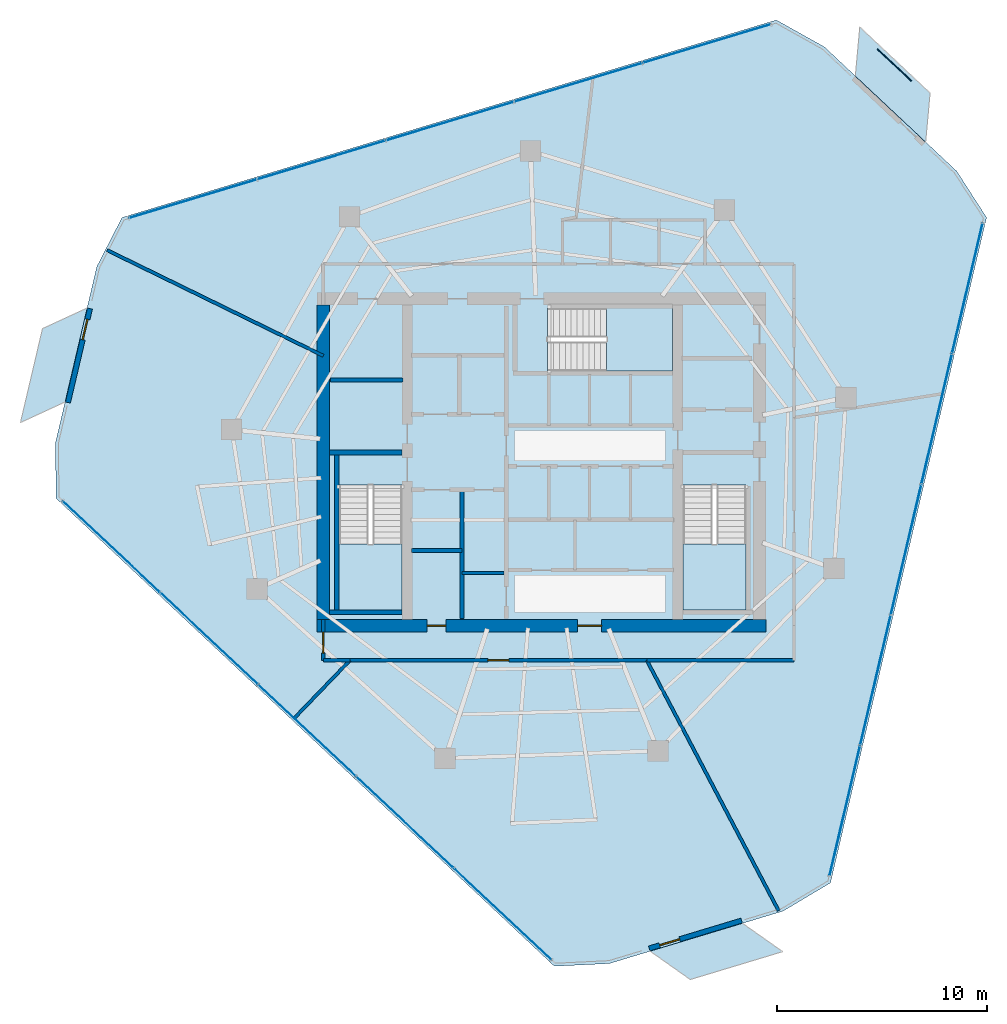
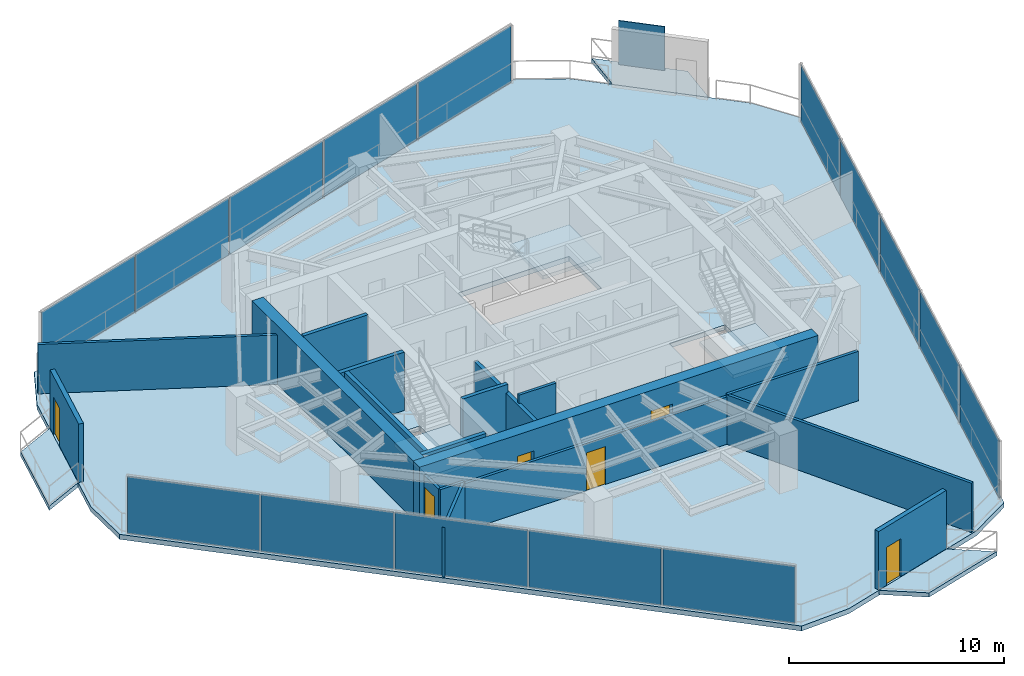
# One storey, part 15 of 19: 18 walls, 16 plates, 7 slabs, 6 doors, 6 openings, 6 elements without a shape of their own.
"""IFC4 building model written with IfcOpenShell, lengths in metres."""

from ifc_helpers import new_model, si_unit, direction, frame, frame_2d, origin, origin_2d, place, context, subcontext, project, spatial, polyline, rectangle, outline, extrude, material, layer, layer_set, type_object, element, fill, aggregate, save


model = new_model("IFC4")

# Units and contexts
model_context = context("Model", 3, precision=1e-05, world=origin(), true_north=direction((0.0, 1.0)))
body_context = subcontext(model_context, "Body", "Model", "MODEL_VIEW")
ifc_project = project(units=[si_unit("LENGTHUNIT", "METRE"), si_unit("AREAUNIT", "SQUARE_METRE"), si_unit("VOLUMEUNIT", "CUBIC_METRE"), si_unit("PLANEANGLEUNIT", "RADIAN"), si_unit("MASSUNIT", "GRAM", prefix="KILO")], contexts=[model_context])

# Site, building, storey
site_placement = place(None, origin())
site = spatial("IfcSite", under=ifc_project, at=site_placement, CompositionType="ELEMENT")
building_placement = place(site_placement, origin())
building = spatial("IfcBuilding", under=site, at=building_placement, Name="Qarnah Convention Tower", CompositionType="ELEMENT")
storey_placement = place(building_placement, frame((0.0, 0.0, 129.300048828125)))
storey = spatial("IfcBuildingStorey", under=building, at=storey_placement, Name="L34", CompositionType="ELEMENT", Elevation=129.300048828125)

# Curtain wall, plates
ifc_material_1 = material(Name="Tempered Low-E dark glass", Category="glass")
ifc_layer_1 = layer(ifc_material_1, 0.172119140625)
ifc_layer_set_1 = layer_set([ifc_layer_1], Name="Tempered Low-E dark glass")
curtain_wall_type = type_object("IfcCurtainWallType", Name="CWS-03", PredefinedType="NOTDEFINED", material=ifc_layer_set_1)
curtain_wall_1_placement = place(storey_placement, origin())
curtain_wall_1 = element("IfcCurtainWall", 1, at=curtain_wall_1_placement, inside=storey, type_object=curtain_wall_type, Name="L34 unitised curtain wall CW-L34-F1", PredefinedType="NOTDEFINED")
ifc_layer_2 = layer(ifc_material_1, 0.031982421875)
ifc_layer_set_2 = layer_set([ifc_layer_2], Name="Tempered Low-E dark glass")
plate_type_1 = type_object("IfcPlateType", Name="PNL-T3", PredefinedType="CURTAIN_PANEL", material=ifc_layer_set_2)
plate_1_placement = place(storey_placement, frame((35.347900390625, 4.843994140625, 0.0400390625), z_axis=(0.0, 0.0, 1.0), x_axis=(-0.728967659665, 0.684548136483, 0.0)))
plate_1 = element("IfcPlate", 2, at=plate_1_placement, type_object=plate_type_1, Name="CW-L34-F1 curtain panel 1.1", PredefinedType="CURTAIN_PANEL", context=body_context, shape_type="SweptSolid", body=[
    extrude(rectangle(XDim=6.318115234375, YDim=0.031982421875, at=origin_2d()), origin(), (0.0, 0.0, 1.0), 3.239990234375),
])
plate_2_placement = place(storey_placement, frame((30.68408203125, 9.2236328125, 0.0400390625), z_axis=(0.0, 0.0, 1.0), x_axis=(-0.728967659665, 0.684548136483, 0.0)))
plate_2 = element("IfcPlate", 3, at=plate_2_placement, type_object=plate_type_1, Name="CW-L34-F1 curtain panel 2.1", PredefinedType="CURTAIN_PANEL", context=body_context, shape_type="SweptSolid", body=[
    extrude(rectangle(XDim=6.318115234375, YDim=0.031982421875, at=origin_2d()), origin(), (0.0, 0.0, 1.0), 3.239990234375),
])
plate_3_placement = place(storey_placement, frame((26.02001953125, 13.603515625, 0.0400390625), z_axis=(0.0, 0.0, 1.0), x_axis=(-0.728967659665, 0.684548136483, 0.0)))
plate_3 = element("IfcPlate", 4, at=plate_3_placement, type_object=plate_type_1, Name="CW-L34-F1 curtain panel 3.1", PredefinedType="CURTAIN_PANEL", context=body_context, shape_type="SweptSolid", body=[
    extrude(rectangle(XDim=6.318115234375, YDim=0.031982421875, at=origin_2d()), origin(), (0.0, 0.0, 1.0), 3.239990234375),
])
plate_4_placement = place(storey_placement, frame((21.35595703125, 17.9833984375, 0.0400390625), z_axis=(0.0, 0.0, 1.0), x_axis=(-0.728967659665, 0.684548136483, 0.0)))
plate_4 = element("IfcPlate", 5, at=plate_4_placement, type_object=plate_type_1, Name="CW-L34-F1 curtain panel 4.1", PredefinedType="CURTAIN_PANEL", context=body_context, shape_type="SweptSolid", body=[
    extrude(rectangle(XDim=6.318115234375, YDim=0.031982421875, at=origin_2d()), origin(), (0.0, 0.0, 1.0), 3.239990234375),
])
plate_5_placement = place(storey_placement, frame((16.69189453125, 22.363037109375, 0.0400390625), z_axis=(0.0, 0.0, 1.0), x_axis=(-0.728967659665, 0.684548136483, 0.0)))
plate_5 = element("IfcPlate", 6, at=plate_5_placement, type_object=plate_type_1, Name="CW-L34-F1 curtain panel 5.1", PredefinedType="CURTAIN_PANEL", context=body_context, shape_type="SweptSolid", body=[
    extrude(rectangle(XDim=6.318115234375, YDim=0.031982421875, at=origin_2d()), origin(), (0.0, 0.0, 1.0), 3.239990234375),
])
aggregate(curtain_wall_1, [plate_1, plate_2, plate_3, plate_4, plate_5])

curtain_wall_2_placement = place(storey_placement, origin())
curtain_wall_2 = element("IfcCurtainWall", 7, at=curtain_wall_2_placement, inside=storey, type_object=curtain_wall_type, Name="L34 unitised curtain wall CW-L34-F2", PredefinedType="NOTDEFINED")
plate_6_placement = place(storey_placement, frame((20.58447265625, 38.960693359375, 0.0400390625), z_axis=(0.0, 0.0, 1.0), x_axis=(0.957321510287, 0.289025130295, 0.0)))
plate_6 = element("IfcPlate", 8, at=plate_6_placement, type_object=plate_type_1, Name="CW-L34-F2 curtain panel 1.1", PredefinedType="CURTAIN_PANEL", context=body_context, shape_type="SweptSolid", body=[
    extrude(rectangle(XDim=6.318115234375, YDim=0.031982421875, at=origin_2d()), origin(), (0.0, 0.0, 1.0), 3.239990234375),
])
plate_7_placement = place(storey_placement, frame((26.70947265625, 40.809814453125, 0.0400390625), z_axis=(0.0, 0.0, 1.0), x_axis=(0.957321510287, 0.289025130295, 0.0)))
plate_7 = element("IfcPlate", 9, at=plate_7_placement, type_object=plate_type_1, Name="CW-L34-F2 curtain panel 2.1", PredefinedType="CURTAIN_PANEL", context=body_context, shape_type="SweptSolid", body=[
    extrude(rectangle(XDim=6.318115234375, YDim=0.031982421875, at=origin_2d()), origin(), (0.0, 0.0, 1.0), 3.239990234375),
])
plate_8_placement = place(storey_placement, frame((32.83447265625, 42.658935546875, 0.0400390625), z_axis=(0.0, 0.0, 1.0), x_axis=(0.957321510287, 0.289025130295, 0.0)))
plate_8 = element("IfcPlate", 10, at=plate_8_placement, type_object=plate_type_1, Name="CW-L34-F2 curtain panel 3.1", PredefinedType="CURTAIN_PANEL", context=body_context, shape_type="SweptSolid", body=[
    extrude(rectangle(XDim=6.318115234375, YDim=0.031982421875, at=origin_2d()), origin(), (0.0, 0.0, 1.0), 3.239990234375),
])
plate_9_placement = place(storey_placement, frame((38.95947265625, 44.50830078125, 0.0400390625), z_axis=(0.0, 0.0, 1.0), x_axis=(0.957321510287, 0.289025130295, 0.0)))
plate_9 = element("IfcPlate", 11, at=plate_9_placement, type_object=plate_type_1, Name="CW-L34-F2 curtain panel 4.1", PredefinedType="CURTAIN_PANEL", context=body_context, shape_type="SweptSolid", body=[
    extrude(rectangle(XDim=6.318115234375, YDim=0.031982421875, at=origin_2d()), origin(), (0.0, 0.0, 1.0), 3.239990234375),
])
plate_10_placement = place(storey_placement, frame((45.08447265625, 46.357421875, 0.0400390625), z_axis=(0.0, 0.0, 1.0), x_axis=(0.957321510287, 0.289025130295, 0.0)))
plate_10 = element("IfcPlate", 12, at=plate_10_placement, type_object=plate_type_1, Name="CW-L34-F2 curtain panel 5.1", PredefinedType="CURTAIN_PANEL", context=body_context, shape_type="SweptSolid", body=[
    extrude(rectangle(XDim=6.318115234375, YDim=0.031982421875, at=origin_2d()), origin(), (0.0, 0.0, 1.0), 3.239990234375),
])
aggregate(curtain_wall_2, [plate_6, plate_7, plate_8, plate_9, plate_10])

curtain_wall_3_placement = place(storey_placement, origin())
curtain_wall_3 = element("IfcCurtainWall", 13, at=curtain_wall_3_placement, inside=storey, type_object=curtain_wall_type, Name="L34 unitised curtain wall CW-L34-F3", PredefinedType="NOTDEFINED")
plate_11_placement = place(storey_placement, frame((57.512451171875, 34.6875, 0.0400390625), z_axis=(0.0, 0.0, 1.0), x_axis=(-0.228344107227, -0.973580489069, 0.0)))
plate_11 = element("IfcPlate", 14, at=plate_11_placement, type_object=plate_type_1, Name="CW-L34-F3 curtain panel 1.1", PredefinedType="CURTAIN_PANEL", context=body_context, shape_type="SweptSolid", body=[
    extrude(rectangle(XDim=6.318359375, YDim=0.031982421875, at=origin_2d()), origin(), (0.0, 0.0, 1.0), 3.239990234375),
])
plate_12_placement = place(storey_placement, frame((56.051513671875, 28.458251953125, 0.0400390625), z_axis=(0.0, 0.0, 1.0), x_axis=(-0.228344107227, -0.973580489069, 0.0)))
plate_12 = element("IfcPlate", 15, at=plate_12_placement, type_object=plate_type_1, Name="CW-L34-F3 curtain panel 2.1", PredefinedType="CURTAIN_PANEL", context=body_context, shape_type="SweptSolid", body=[
    extrude(rectangle(XDim=6.318359375, YDim=0.031982421875, at=origin_2d()), origin(), (0.0, 0.0, 1.0), 3.239990234375),
])
plate_13_placement = place(storey_placement, frame((54.590576171875, 22.22900390625, 0.0400390625), z_axis=(0.0, 0.0, 1.0), x_axis=(-0.228344107227, -0.973580489069, 0.0)))
plate_13 = element("IfcPlate", 16, at=plate_13_placement, type_object=plate_type_1, Name="CW-L34-F3 curtain panel 3.1", PredefinedType="CURTAIN_PANEL", context=body_context, shape_type="SweptSolid", body=[
    extrude(rectangle(XDim=6.318359375, YDim=0.031982421875, at=origin_2d()), origin(), (0.0, 0.0, 1.0), 3.239990234375),
])
plate_14_placement = place(storey_placement, frame((53.12939453125, 15.999755859375, 0.0400390625), z_axis=(0.0, 0.0, 1.0), x_axis=(-0.228344107227, -0.973580489069, 0.0)))
plate_14 = element("IfcPlate", 17, at=plate_14_placement, type_object=plate_type_1, Name="CW-L34-F3 curtain panel 4.1", PredefinedType="CURTAIN_PANEL", context=body_context, shape_type="SweptSolid", body=[
    extrude(rectangle(XDim=6.318359375, YDim=0.031982421875, at=origin_2d()), origin(), (0.0, 0.0, 1.0), 3.239990234375),
])
plate_15_placement = place(storey_placement, frame((51.66845703125, 9.7705078125, 0.0400390625), z_axis=(0.0, 0.0, 1.0), x_axis=(-0.228344107227, -0.973580489069, 0.0)))
plate_15 = element("IfcPlate", 18, at=plate_15_placement, type_object=plate_type_1, Name="CW-L34-F3 curtain panel 5.1", PredefinedType="CURTAIN_PANEL", context=body_context, shape_type="SweptSolid", body=[
    extrude(rectangle(XDim=6.318359375, YDim=0.031982421875, at=origin_2d()), origin(), (0.0, 0.0, 1.0), 3.239990234375),
])
aggregate(curtain_wall_3, [plate_11, plate_12, plate_13, plate_14, plate_15])

# Plate
ifc_material_2 = material(Name="Black anodised aluminium", Category="aluminium")
ifc_layer_3 = layer(ifc_material_2, 0.044921875)
ifc_layer_set_3 = layer_set([ifc_layer_3], Name="Black anodised aluminium")
plate_type_2 = type_object("IfcPlateType", Name="SCR-BAL-18", PredefinedType="USERDEFINED", material=ifc_layer_set_3)
plate_16_placement = place(storey_placement, frame((54.037109375, 45.333984375, 0.0), z_axis=(0.0, 0.0, 1.0), x_axis=(0.728933978445, -0.68458400147, 0.0)))
element("IfcPlate", 19, at=plate_16_placement, inside=storey, type_object=plate_type_2, Name="L34 perforated desert solar screen BAL-L34-C1", ObjectType="SCREEN", PredefinedType="USERDEFINED", context=body_context, shape_type="SweptSolid", body=[
    extrude(rectangle(XDim=2.199951171875, YDim=0.044921875, at=origin_2d()), origin(), (0.0, 0.0, 1.0), 2.5),
])

# Slabs
ifc_material_3 = material(Name="Concrete C45/55", Category="concrete")
ifc_layer_4 = layer(ifc_material_3, 0.239990234375)
ifc_layer_set_4 = layer_set([ifc_layer_4], Name="Concrete C45/55")
slab_type_1 = type_object("IfcSlabType", Name="SLB-BAL-240", PredefinedType="USERDEFINED", material=ifc_layer_set_4)
slab_1_placement = place(storey_placement, frame((0.0, 0.0, -0.239990234375)))
element("IfcSlab", 20, at=slab_1_placement, inside=storey, type_object=slab_type_1, Name="L34 cantilevered balcony slab BAL-L34-C1", ObjectType="BALCONY", PredefinedType="USERDEFINED", context=body_context, shape_type="SweptSolid", body=[
    extrude(outline(polyline([(52.382080078125, 47.14794921875), (55.735107421875, 43.9990234375), (55.52294921875, 41.662109375), (52.1689453125, 44.81103515625), (52.382080078125, 47.14794921875)])), origin(), (0.0, 0.0, 1.0), 0.239990234375),
])
slab_2_placement = place(storey_placement, frame((0.0, 0.0, -0.239990234375)))
element("IfcSlab", 21, at=slab_2_placement, inside=storey, type_object=slab_type_1, Name="L34 cantilevered balcony slab BAL-L34-C2", ObjectType="BALCONY", PredefinedType="USERDEFINED", context=body_context, shape_type="SweptSolid", body=[
    extrude(outline(polyline([(12.35888671875, 28.2880859375), (13.408935546875, 32.76611328125), (15.5390625, 33.75), (14.489013671875, 29.27099609375), (12.35888671875, 28.2880859375)])), origin(), (0.0, 0.0, 1.0), 0.239990234375),
])
slab_3_placement = place(storey_placement, frame((0.0, 0.0, -0.239990234375)))
element("IfcSlab", 22, at=slab_3_placement, inside=storey, type_object=slab_type_1, Name="L34 cantilevered balcony slab BAL-L34-C3", ObjectType="BALCONY", PredefinedType="USERDEFINED", context=body_context, shape_type="SweptSolid", body=[
    extrude(outline(polyline([(48.7041015625, 3.056884765625), (44.300048828125, 1.72705078125), (42.383056640625, 3.0791015625), (46.787109375, 4.408935546875), (48.7041015625, 3.056884765625)])), origin(), (0.0, 0.0, 1.0), 0.239990234375),
])

# Stair, slab
ifc_material_4 = material(Name="Concrete C50/60", Category="concrete")
stair_type = type_object("IfcStairType", Name="STR-OFF", PredefinedType="HALF_TURN_STAIR", material=ifc_material_4)
stair_1_placement = place(storey_placement, origin())
stair_1 = element("IfcStair", 23, at=stair_1_placement, inside=storey, type_object=stair_type, Name="L34 Core exit stair ST-1", PredefinedType="HALF_TURN_STAIR")
ifc_layer_5 = layer(ifc_material_4, 0.199951171875)
ifc_layer_set_5 = layer_set([ifc_layer_5], Name="Concrete C50/60")
slab_type_2 = type_object("IfcSlabType", Name="SLB-LANDING-200", PredefinedType="LANDING", material=ifc_layer_set_5)
slab_4_placement = place(storey_placement, frame((0.0, 0.0, 1.599853515625)))
slab_4 = element("IfcSlab", 24, at=slab_4_placement, type_object=slab_type_2, Name="ST-1 landing 1", PredefinedType="LANDING", context=body_context, shape_type="SweptSolid", body=[
    extrude(outline(polyline([(27.550048828125, 22.5), (27.550048828125, 19.35009765625), (30.550048828125, 19.35009765625), (30.550048828125, 22.5), (27.550048828125, 22.5)])), origin(), (0.0, 0.0, 1.0), 0.2001953125),
])
aggregate(stair_1, [slab_4])

stair_2_placement = place(storey_placement, origin())
stair_2 = element("IfcStair", 25, at=stair_2_placement, inside=storey, type_object=stair_type, Name="L34 Core exit stair ST-2", PredefinedType="HALF_TURN_STAIR")
slab_5_placement = place(storey_placement, frame((0.0, 0.0, 1.599853515625)))
slab_5 = element("IfcSlab", 26, at=slab_5_placement, type_object=slab_type_2, Name="ST-2 landing 1", PredefinedType="LANDING", context=body_context, shape_type="SweptSolid", body=[
    extrude(outline(polyline([(43.949951171875, 22.5), (43.949951171875, 19.35009765625), (46.949951171875, 19.35009765625), (46.949951171875, 22.5), (43.949951171875, 22.5)])), origin(), (0.0, 0.0, 1.0), 0.2001953125),
])
aggregate(stair_2, [slab_5])

stair_3_placement = place(storey_placement, origin())
stair_3 = element("IfcStair", 27, at=stair_3_placement, inside=storey, type_object=stair_type, Name="L34 Core exit stair ST-3", PredefinedType="HALF_TURN_STAIR")
slab_6_placement = place(storey_placement, frame((0.0, 0.0, 1.599853515625)))
slab_6 = element("IfcSlab", 28, at=slab_6_placement, type_object=slab_type_2, Name="ST-3 landing 1", PredefinedType="LANDING", context=body_context, shape_type="SweptSolid", body=[
    extrude(outline(polyline([(40.300048828125, 30.75), (43.449951171875, 30.75), (43.449951171875, 33.75), (40.300048828125, 33.75), (40.300048828125, 30.75)])), origin(), (0.0, 0.0, 1.0), 0.2001953125),
])
aggregate(stair_3, [slab_6])

# Slab
ifc_layer_6 = layer(ifc_material_3, 0.280029296875)
ifc_layer_set_6 = layer_set([ifc_layer_6], Name="Concrete C45/55")
slab_type_3 = type_object("IfcSlabType", Name="SLB-TWR-280", PredefinedType="FLOOR", material=ifc_layer_set_6)
slab_7_placement = place(storey_placement, frame((0.0, 0.0, -0.280029296875)))
element("IfcSlab", 29, at=slab_7_placement, inside=storey, type_object=slab_type_3, Name="L34 structural floor slab", PredefinedType="FLOOR", context=body_context, shape_type="SweptSolid", body=[
    extrude(outline(polyline([(48.39990234375, 47.48388671875), (17.199951171875, 38.06396484375), (15.9990234375, 35.72705078125), (14.02197265625, 27.299072265625), (14.05908203125, 24.6708984375), (37.81689453125, 2.361083984375), (40.44091796875, 2.489013671875), (48.72900390625, 4.990966796875), (50.986083984375, 6.3369140625), (58.427978515625, 38.06689453125), (57.0048828125, 40.27587890625), (50.694091796875, 46.201904296875), (48.39990234375, 47.48388671875)]), holes=[polyline([(27.550048828125, 25.300048828125), (27.550048828125, 19.35009765625), (30.550048828125, 19.35009765625), (30.550048828125, 25.300048828125), (27.550048828125, 25.300048828125)]), polyline([(43.949951171875, 25.300048828125), (43.949951171875, 19.35009765625), (46.949951171875, 19.35009765625), (46.949951171875, 25.300048828125), (43.949951171875, 25.300048828125)]), polyline([(37.5, 30.75), (43.449951171875, 30.75), (43.449951171875, 33.75), (37.5, 33.75), (37.5, 30.75)])]), origin(), (0.0, 0.0, 1.0), 0.280029296875),
])

# Wall, openings, doors
ifc_material_5 = material(Name="Concrete C60/75", Category="concrete")
ifc_layer_7 = layer(ifc_material_5, 0.60009765625)
ifc_layer_set_7 = layer_set([ifc_layer_7], Name="Concrete C60/75")
wall_type_1 = type_object("IfcWallType", Name="WL-CORE-600", PredefinedType="SHEAR", material=ifc_layer_set_7)
wall_1_placement = place(storey_placement, frame((26.5, 18.60009765625, 0.0), z_axis=(0.0, 0.0, 1.0), x_axis=(1.0, 0.0, 0.0)))
wall_1 = element("IfcWall", 30, at=wall_1_placement, inside=storey, type_object=wall_type_1, Name="L34 core south shear wall", PredefinedType="SHEAR", context=body_context, shape_type="SweptSolid", body=[
    extrude(rectangle(XDim=21.39990234375, YDim=0.60009765625, at=frame_2d((10.699951171875, 0.0))), origin(), (0.0, 0.0, 1.0), 3.320068359375),
])
opening_1_placement = place(wall_1_placement, frame((12.425048828125, 0.0, 0.0)))
opening_1 = element("IfcOpeningElement", 31, at=opening_1_placement, cuts=wall_1, Name="Opening D-3407", PredefinedType="OPENING", context=body_context, shape_type="SweptSolid", body=[
    extrude(rectangle(XDim=1.14990234375, YDim=2.14990234375, at=frame_2d((0.574951171875, 1.074951171875))), frame((0.0, 0.31005859375, 0.0), z_axis=(0.0, -1.0, 0.0), x_axis=(1.0, 0.0, 0.0)), (0.0, 0.0, 1.0), 0.6201171875),
])
opening_2_placement = place(wall_1_placement, frame((5.25, 0.0, 0.0)))
opening_2 = element("IfcOpeningElement", 32, at=opening_2_placement, cuts=wall_1, Name="Opening D-3413", PredefinedType="OPENING", context=body_context, shape_type="SweptSolid", body=[
    extrude(rectangle(XDim=0.89990234375, YDim=2.10009765625, at=frame_2d((0.449951171875, 1.050048828125))), frame((0.0, 0.31005859375, 0.0), z_axis=(0.0, -1.0, 0.0), x_axis=(1.0, 0.0, 0.0)), (0.0, 0.0, 1.0), 0.6201171875),
])
ifc_material_6 = material(Name="Structural steel S355JR", Category="steel")
door_type_1 = type_object("IfcDoorType", Name="DT-LOBBY-1150", OperationType="NOTDEFINED", PredefinedType="DOOR", material=ifc_material_6)
door_1_placement = place(opening_1_placement, origin())
door_1 = element("IfcDoor", 33, at=door_1_placement, inside=storey, type_object=door_type_1, Name="Door D-3407", OperationType="SINGLE_SWING_RIGHT", OverallHeight=2.14990234375, OverallWidth=1.14990234375, PredefinedType="DOOR", context=body_context, shape_type="SweptSolid", body=[
    extrude(rectangle(XDim=1.14990234375, YDim=2.14990234375, at=frame_2d((0.574951171875, 1.074951171875))), frame((0.0, 0.02490234375, 0.0), z_axis=(0.0, -1.0, 0.0), x_axis=(1.0, 0.0, 0.0)), (0.0, 0.0, 1.0), 0.050048828125),
])
fill(opening_1, door_1)
door_type_2 = type_object("IfcDoorType", Name="DT-RISER-900", OperationType="NOTDEFINED", PredefinedType="DOOR", material=ifc_material_6)
door_2_placement = place(opening_2_placement, origin())
door_2 = element("IfcDoor", 34, at=door_2_placement, inside=storey, type_object=door_type_2, Name="Door D-3413", OperationType="SINGLE_SWING_RIGHT", OverallHeight=2.10009765625, OverallWidth=0.89990234375, PredefinedType="DOOR", context=body_context, shape_type="SweptSolid", body=[
    extrude(rectangle(XDim=0.89990234375, YDim=2.10009765625, at=frame_2d((0.449951171875, 1.050048828125))), frame((0.0, 0.02490234375, 0.0), z_axis=(0.0, -1.0, 0.0), x_axis=(1.0, 0.0, 0.0)), (0.0, 0.0, 1.0), 0.050048828125),
])
fill(opening_2, door_2)

# Walls
wall_2_placement = place(storey_placement, frame((26.800048828125, 18.89990234375, 0.0), z_axis=(0.0, 0.0, 1.0), x_axis=(0.0, 1.0, 0.0)))
element("IfcWall", 35, at=wall_2_placement, inside=storey, type_object=wall_type_1, Name="L34 core west shear wall", PredefinedType="SHEAR", context=body_context, shape_type="SweptSolid", body=[
    extrude(rectangle(XDim=15.0, YDim=0.60009765625, at=frame_2d((7.5, 0.0))), origin(), (0.0, 0.0, 1.0), 3.320068359375),
])
ifc_layer_8 = layer(ifc_material_3, 0.199951171875)
ifc_layer_set_8 = layer_set([ifc_layer_8], Name="Concrete C45/55")
wall_type_2 = type_object("IfcWallType", Name="WL-CORE-PART-200", PredefinedType="SOLIDWALL", material=ifc_layer_set_8)
wall_3_placement = place(storey_placement, frame((27.14990234375, 30.320068359375, 0.0), z_axis=(0.0, 0.0, 1.0), x_axis=(1.0, 0.0, 0.0)))
element("IfcWall", 36, at=wall_3_placement, inside=storey, type_object=wall_type_2, Name="L34 interior wall IW-L34-ELRN", PredefinedType="SOLIDWALL", context=body_context, shape_type="SweptSolid", body=[
    extrude(rectangle(XDim=3.4501953125, YDim=0.199951171875, at=frame_2d((1.72509765625, 0.0))), origin(), (0.0, 0.0, 1.0), 3.320068359375),
])
wall_4_placement = place(storey_placement, frame((33.419921875, 18.949951171875, 0.0), z_axis=(0.0, 0.0, 1.0), x_axis=(0.0, 1.0, 0.0)))
element("IfcWall", 37, at=wall_4_placement, inside=storey, type_object=wall_type_2, Name="L34 interior wall IW-L34-SVLE", PredefinedType="SOLIDWALL", context=body_context, shape_type="SweptSolid", body=[
    extrude(rectangle(XDim=6.130126953125, YDim=0.199951171875, at=frame_2d((3.06494140625, 0.0))), origin(), (0.0, 0.0, 1.0), 2.841064453125),
])
wall_5_placement = place(storey_placement, frame((31.0, 22.179931640625, 0.0), z_axis=(0.0, 0.0, 1.0), x_axis=(1.0, 0.0, 0.0)))
element("IfcWall", 38, at=wall_5_placement, inside=storey, type_object=wall_type_2, Name="L34 interior wall IW-L34-SVLS", PredefinedType="SOLIDWALL", context=body_context, shape_type="SweptSolid", body=[
    extrude(rectangle(XDim=2.419921875, YDim=0.199951171875, at=frame_2d((1.2099609375, 0.0))), origin(), (0.0, 0.0, 1.0), 3.320068359375),
])
ifc_layer_9 = layer(ifc_material_5, 0.219970703125)
ifc_layer_set_9 = layer_set([ifc_layer_9], Name="Concrete C60/75")
wall_type_3 = type_object("IfcWallType", Name="WL-CORE-STAIR-220", PredefinedType="SHEAR", material=ifc_layer_set_9)
wall_6_placement = place(storey_placement, frame((27.10009765625, 26.860107421875, 0.0), z_axis=(0.0, 0.0, 1.0), x_axis=(1.0, 0.0, 0.0)))
element("IfcWall", 39, at=wall_6_placement, inside=storey, type_object=wall_type_3, Name="L34 stair shaft shear wall SW-L34-ST1N", PredefinedType="SHEAR", context=body_context, shape_type="SweptSolid", body=[
    extrude(rectangle(XDim=3.449951171875, YDim=0.219970703125, at=frame_2d((1.72509765625, 0.0))), origin(), (0.0, 0.0, 1.0), 3.320068359375),
])
wall_7_placement = place(storey_placement, frame((27.43994140625, 19.35009765625, 0.0), z_axis=(0.0, 0.0, 1.0), x_axis=(0.0, 1.0, 0.0)))
element("IfcWall", 40, at=wall_7_placement, inside=storey, type_object=wall_type_3, Name="L34 stair shaft shear wall SW-L34-ST1W", PredefinedType="SHEAR", context=body_context, shape_type="SweptSolid", body=[
    extrude(rectangle(XDim=7.39990234375, YDim=0.219970703125, at=frame_2d((3.699951171875, 0.0))), origin(), (0.0, 0.0, 1.0), 3.320068359375),
])
wall_8_placement = place(storey_placement, frame((27.10009765625, 19.239990234375, 0.0), z_axis=(0.0, 0.0, 1.0), x_axis=(1.0, 0.0, 0.0)))
element("IfcWall", 41, at=wall_8_placement, inside=storey, type_object=wall_type_3, Name="L34 stair shaft shear wall SW-L34-ST1S", PredefinedType="SHEAR", context=body_context, shape_type="SweptSolid", body=[
    extrude(rectangle(XDim=3.449951171875, YDim=0.219970703125, at=frame_2d((1.72509765625, 0.0))), origin(), (0.0, 0.0, 1.0), 3.320068359375),
])

# Wall, opening, door
ifc_material_7 = material(Name="Precast concrete C45/55", Category="concrete")
ifc_layer_10 = layer(ifc_material_7, 0.239990234375)
ifc_layer_set_10 = layer_set([ifc_layer_10], Name="Precast concrete C45/55")
wall_type_4 = type_object("IfcWallType", Name="WL-EXT-BAL-240", PredefinedType="SOLIDWALL", material=ifc_layer_set_10)
wall_9_placement = place(storey_placement, frame((14.6220703125, 29.241943359375, 0.0), z_axis=(0.0, 0.0, 1.0), x_axis=(0.228296670508, 0.973591613684, 0.0)))
wall_9 = element("IfcWall", 42, at=wall_9_placement, inside=storey, type_object=wall_type_4, Name="L34 loggia threshold wall BAL-L34-C2", PredefinedType="SOLIDWALL", context=body_context, shape_type="SweptSolid", body=[
    extrude(rectangle(XDim=4.599609375, YDim=0.239990234375, at=frame_2d((2.2998046875, 0.0))), origin(), (0.0, 0.0, 1.0), 3.320068359375),
])
opening_3_placement = place(wall_9_placement, frame((3.0791015625, 0.0, 0.0)))
opening_3 = element("IfcOpeningElement", 43, at=opening_3_placement, cuts=wall_9, Name="Opening BD-3402", PredefinedType="OPENING", context=body_context, shape_type="SweptSolid", body=[
    extrude(rectangle(XDim=1.0, YDim=2.14990234375, at=frame_2d((0.5, 1.074951171875))), frame((0.0, 0.1298828125, 0.0), z_axis=(0.0, -1.0, 0.0), x_axis=(1.0, 0.0, 0.0)), (0.0, 0.0, 1.0), 0.260009765625),
])
door_type_3 = type_object("IfcDoorType", Name="DT-BAL-1000", OperationType="NOTDEFINED", PredefinedType="DOOR", material=ifc_material_2)
door_3_placement = place(opening_3_placement, origin())
door_3 = element("IfcDoor", 44, at=door_3_placement, inside=storey, type_object=door_type_3, Name="L34 balcony terrace door BAL-L34-C2", OperationType="SINGLE_SWING_RIGHT", OverallHeight=2.14990234375, OverallWidth=1.0, PredefinedType="DOOR", context=body_context, shape_type="SweptSolid", body=[
    extrude(rectangle(XDim=1.0, YDim=2.14990234375, at=frame_2d((0.5, 1.074951171875))), frame((0.0, 0.02490234375, 0.0), z_axis=(0.0, -1.0, 0.0), x_axis=(1.0, 0.0, 0.0)), (0.0, 0.0, 1.0), 0.050048828125),
])
fill(opening_3, door_3)

wall_10_placement = place(storey_placement, frame((46.74609375, 4.5390625, 0.0), z_axis=(0.0, 0.0, 1.0), x_axis=(-0.957335469259, -0.288978890748, 0.0)))
wall_10 = element("IfcWall", 45, at=wall_10_placement, inside=storey, type_object=wall_type_4, Name="L34 loggia threshold wall BAL-L34-C3", PredefinedType="SOLIDWALL", context=body_context, shape_type="SweptSolid", body=[
    extrude(rectangle(XDim=4.599365234375, YDim=0.239990234375, at=frame_2d((2.2998046875, 0.0))), origin(), (0.0, 0.0, 1.0), 3.320068359375),
])
opening_4_placement = place(wall_10_placement, frame((3.0791015625, 0.0, 0.0)))
opening_4 = element("IfcOpeningElement", 46, at=opening_4_placement, cuts=wall_10, Name="Opening BD-3403", PredefinedType="OPENING", context=body_context, shape_type="SweptSolid", body=[
    extrude(rectangle(XDim=1.0, YDim=2.14990234375, at=frame_2d((0.5, 1.074951171875))), frame((0.0, 0.1298828125, 0.0), z_axis=(0.0, -1.0, 0.0), x_axis=(1.0, 0.0, 0.0)), (0.0, 0.0, 1.0), 0.260009765625),
])
door_4_placement = place(opening_4_placement, origin())
door_4 = element("IfcDoor", 47, at=door_4_placement, inside=storey, type_object=door_type_3, Name="L34 balcony terrace door BAL-L34-C3", OperationType="SINGLE_SWING_LEFT", OverallHeight=2.14990234375, OverallWidth=1.0, PredefinedType="DOOR", context=body_context, shape_type="SweptSolid", body=[
    extrude(rectangle(XDim=1.0, YDim=2.14990234375, at=frame_2d((0.5, 1.074951171875))), frame((0.0, 0.02490234375, 0.0), z_axis=(0.0, -1.0, 0.0), x_axis=(1.0, 0.0, 0.0)), (0.0, 0.0, 1.0), 0.050048828125),
])
fill(opening_4, door_4)

# Walls
ifc_material_8 = material(Name="Gypsum partition board")
ifc_layer_11 = layer(ifc_material_8, 0.14990234375)
ifc_layer_set_11 = layer_set([ifc_layer_11], Name="Gypsum partition board")
wall_type_5 = type_object("IfcWallType", Name="WL-SUITE-150", PredefinedType="PARTITIONING", material=ifc_layer_set_11)
wall_11_placement = place(storey_placement, frame((33.419921875, 21.1201171875, 0.0), z_axis=(0.0, 0.0, 1.0), x_axis=(1.0, 0.0, 0.0)))
element("IfcWall", 48, at=wall_11_placement, inside=storey, type_object=wall_type_5, Name="L34 interior wall IW-L34-CSV1", PredefinedType="PARTITIONING", context=body_context, shape_type="SweptSolid", body=[
    extrude(rectangle(XDim=2.0, YDim=0.14990234375, at=frame_2d((1.0, 0.0))), origin(), (0.0, 0.0, 1.0), 3.320068359375),
])
wall_12_placement = place(storey_placement, frame((16.489990234375, 36.508056640625, 0.0), z_axis=(0.0, 0.0, 1.0), x_axis=(0.898533562789, -0.4389048149, 0.0)))
element("IfcWall", 49, at=wall_12_placement, inside=storey, type_object=wall_type_5, Name="L34 interior wall IW-L34-R-17", PredefinedType="PARTITIONING", context=body_context, shape_type="SweptSolid", body=[
    extrude(rectangle(XDim=11.474365234375, YDim=0.14990234375, at=frame_2d((5.7373046875, 0.0))), origin(), (0.0, 0.0, 1.0), 2.804931640625),
])
wall_13_placement = place(storey_placement, frame((25.3779296875, 14.152099609375, 0.0), z_axis=(0.0, 0.0, 1.0), x_axis=(0.693884355372, 0.720086454094, 0.0)))
element("IfcWall", 50, at=wall_13_placement, inside=storey, type_object=wall_type_5, Name="L34 interior wall IW-L34-R-21", PredefinedType="PARTITIONING", context=body_context, shape_type="SweptSolid", body=[
    extrude(rectangle(XDim=3.885498046875, YDim=0.14990234375, at=frame_2d((1.94287109375, 0.0))), origin(), (0.0, 0.0, 1.0), 2.804931640625),
])
wall_14_placement = place(storey_placement, frame((28.073974609375, 16.949951171875, 0.0), z_axis=(0.0, 0.0, 1.0), x_axis=(-1.0, 0.0, 0.0)))
element("IfcWall", 51, at=wall_14_placement, inside=storey, type_object=wall_type_5, Name="L34 interior wall IW-L34-R-22", PredefinedType="PARTITIONING", context=body_context, shape_type="SweptSolid", body=[
    extrude(rectangle(XDim=1.27392578125, YDim=0.14990234375, at=frame_2d((0.636962890625, 0.0))), origin(), (0.0, 0.0, 1.0), 2.804931640625),
])

# Wall, opening, door
wall_15_placement = place(storey_placement, frame((26.800048828125, 16.949951171875, 0.0), z_axis=(0.0, 0.0, 1.0), x_axis=(0.0, 1.0, 0.0)))
wall_15 = element("IfcWall", 52, at=wall_15_placement, inside=storey, type_object=wall_type_5, Name="L34 interior wall IW-L34-R-23", PredefinedType="PARTITIONING", context=body_context, shape_type="SweptSolid", body=[
    extrude(rectangle(XDim=1.949951171875, YDim=0.14990234375, at=frame_2d((0.97509765625, 0.0))), origin(), (0.0, 0.0, 1.0), 2.804931640625),
])
opening_5_placement = place(wall_15_placement, frame((0.341064453125, 0.0, 0.0)))
opening_5 = element("IfcOpeningElement", 53, at=opening_5_placement, cuts=wall_15, Name="Opening D-3423", PredefinedType="OPENING", context=body_context, shape_type="SweptSolid", body=[
    extrude(rectangle(XDim=1.0, YDim=2.14990234375, at=frame_2d((0.5, 1.074951171875))), frame((0.0, 0.0849609375, 0.0), z_axis=(0.0, -1.0, 0.0), x_axis=(1.0, 0.0, 0.0)), (0.0, 0.0, 1.0), 0.169921875),
])
ifc_material_9 = material(Name="Oak timber veneer", Category="wood")
door_type_4 = type_object("IfcDoorType", Name="DT-OFFICE-1000", OperationType="NOTDEFINED", PredefinedType="DOOR", material=ifc_material_9)
door_5_placement = place(opening_5_placement, origin())
door_5 = element("IfcDoor", 54, at=door_5_placement, inside=storey, type_object=door_type_4, Name="Door D-3423", OperationType="SINGLE_SWING_RIGHT", OverallHeight=2.14990234375, OverallWidth=1.0, PredefinedType="DOOR", context=body_context, shape_type="SweptSolid", body=[
    extrude(rectangle(XDim=1.0, YDim=2.14990234375, at=frame_2d((0.5, 1.074951171875))), frame((0.0, 0.02490234375, 0.0), z_axis=(0.0, -1.0, 0.0), x_axis=(1.0, 0.0, 0.0)), (0.0, 0.0, 1.0), 0.050048828125),
])
fill(opening_5, door_5)

# Wall
wall_16_placement = place(storey_placement, frame((48.512939453125, 5.008056640625, 0.0), z_axis=(0.0, 0.0, 1.0), x_axis=(-0.465899265879, 0.884837767082, 0.0)))
element("IfcWall", 55, at=wall_16_placement, inside=storey, type_object=wall_type_5, Name="L34 interior wall IW-L34-R-24", PredefinedType="PARTITIONING", context=body_context, shape_type="SweptSolid", body=[
    extrude(rectangle(XDim=13.49609375, YDim=0.14990234375, at=frame_2d((6.748046875, 0.0))), origin(), (0.0, 0.0, 1.0), 2.804931640625),
])

# Wall, opening, door
wall_17_placement = place(storey_placement, frame((42.22509765625, 16.949951171875, 0.0), z_axis=(0.0, 0.0, 1.0), x_axis=(-1.0, 0.0, 0.0)))
wall_17 = element("IfcWall", 56, at=wall_17_placement, inside=storey, type_object=wall_type_5, Name="L34 interior wall IW-L34-R-25", PredefinedType="PARTITIONING", context=body_context, shape_type="SweptSolid", body=[
    extrude(rectangle(XDim=14.151123046875, YDim=0.14990234375, at=frame_2d((7.07568359375, 0.0))), origin(), (0.0, 0.0, 1.0), 2.68701171875),
])
opening_6_placement = place(wall_17_placement, frame((6.575927734375, 0.0, 0.0)))
opening_6 = element("IfcOpeningElement", 57, at=opening_6_placement, cuts=wall_17, Name="Opening D-3424", PredefinedType="OPENING", context=body_context, shape_type="SweptSolid", body=[
    extrude(rectangle(XDim=1.0, YDim=2.14990234375, at=frame_2d((0.5, 1.074951171875))), frame((0.0, 0.0849609375, 0.0), z_axis=(0.0, -1.0, 0.0), x_axis=(1.0, 0.0, 0.0)), (0.0, 0.0, 1.0), 0.169921875),
])
door_6_placement = place(opening_6_placement, origin())
door_6 = element("IfcDoor", 58, at=door_6_placement, inside=storey, type_object=door_type_4, Name="Door D-3424", OperationType="SINGLE_SWING_LEFT", OverallHeight=2.14990234375, OverallWidth=1.0, PredefinedType="DOOR", context=body_context, shape_type="SweptSolid", body=[
    extrude(rectangle(XDim=1.0, YDim=2.14990234375, at=frame_2d((0.5, 1.074951171875))), frame((0.0, 0.02490234375, 0.0), z_axis=(0.0, -1.0, 0.0), x_axis=(1.0, 0.0, 0.0)), (0.0, 0.0, 1.0), 0.050048828125),
])
fill(opening_6, door_6)

# Wall
wall_18_placement = place(storey_placement, frame((49.25, 16.949951171875, 0.0), z_axis=(0.0, 0.0, 1.0), x_axis=(-1.0, 0.0, 0.0)))
element("IfcWall", 59, at=wall_18_placement, inside=storey, type_object=wall_type_5, Name="L34 interior wall IW-L34-R-28", PredefinedType="PARTITIONING", context=body_context, shape_type="SweptSolid", body=[
    extrude(rectangle(XDim=7.02490234375, YDim=0.14990234375, at=frame_2d((3.512451171875, 0.0))), origin(), (0.0, 0.0, 1.0), 2.804931640625),
])

save(model, "model.ifc")
